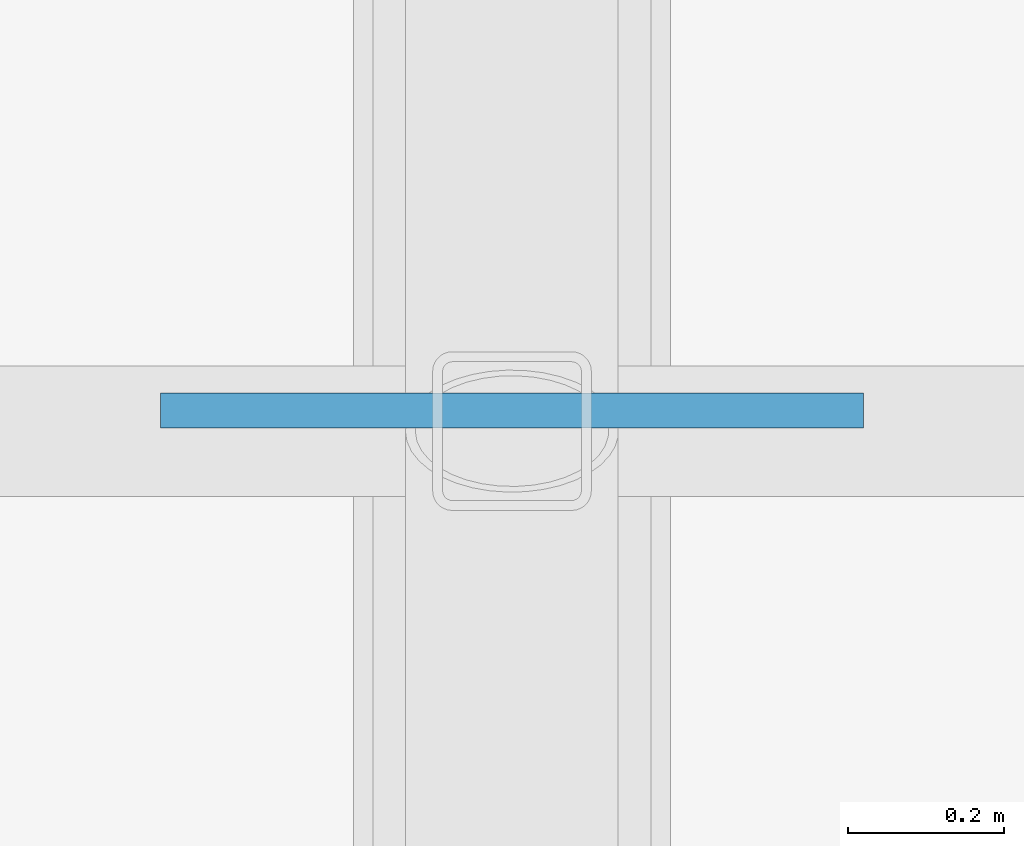
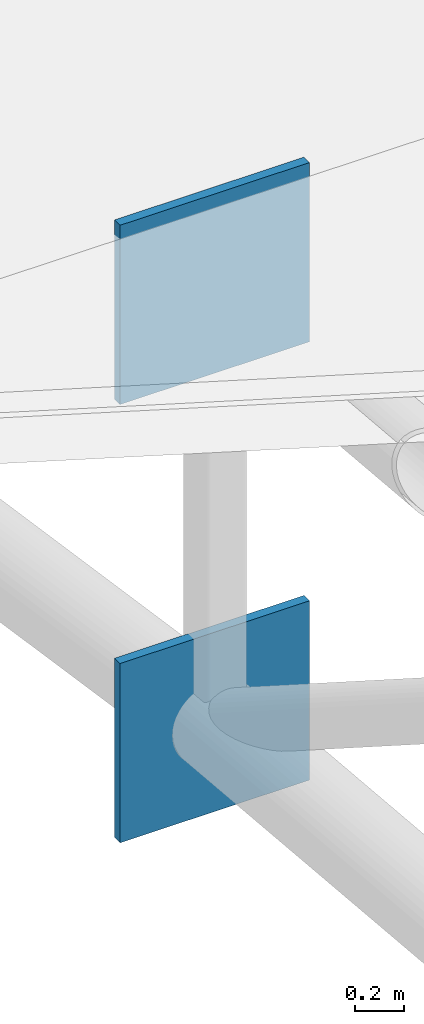
# One storey, part 81 of 98: 2 plates.
"""IFC4 building model written with IfcOpenShell, lengths in metres."""

from ifc_helpers import new_model, si_unit, direction, frame, origin, origin_2d, place, context, subcontext, project, spatial, rectangle, extrude, material, layer, layer_set, type_object, element, save


model = new_model("IFC4")

# Units and contexts
model_context = context("Model", 3, precision=1e-05, world=origin(), true_north=direction((0.0, 1.0)))
body_context = subcontext(model_context, "Body", "Model", "MODEL_VIEW")
ifc_project = project(units=[si_unit("LENGTHUNIT", "METRE"), si_unit("AREAUNIT", "SQUARE_METRE"), si_unit("VOLUMEUNIT", "CUBIC_METRE"), si_unit("PLANEANGLEUNIT", "RADIAN"), si_unit("MASSUNIT", "GRAM", prefix="KILO")], contexts=[model_context])

# Site, building, storey
site_placement = place(None, origin())
site = spatial("IfcSite", under=ifc_project, at=site_placement, CompositionType="ELEMENT")
building_placement = place(site_placement, origin())
building = spatial("IfcBuilding", under=site, at=building_placement, Name="Tlacozan Convention Centre", CompositionType="ELEMENT")
storey_placement = place(building_placement, frame((0.0, 0.0, 25.800048828125)))
storey = spatial("IfcBuildingStorey", under=building, at=storey_placement, Name="Roof", CompositionType="ELEMENT", Elevation=25.800048828125)

# Plates
ifc_material = material(Name="Steel ASTM A572 Grade 50", Category="steel")
ifc_layer = layer(ifc_material, 0.044921875)
ifc_layer_set = layer_set([ifc_layer], Name="Steel ASTM A572 Grade 50")
plate_type = type_object("IfcPlateType", Name="Arch Springing Node Gusset Plate", PredefinedType="SHEET", material=ifc_layer_set)
for number, where, z_axis, x_axis, name in (
    (1, (80.0, 102.0263671875, -3.5244140625), (0.0, 0.0, 1.0), (0.0, 1.0, 0.0), "Roof Gusset Cap Plate 361"),
    (2, (80.0, 102.0263671875, -5.724609375), (0.0, 0.0, 1.0), (0.0, 1.0, 0.0), "Roof Gusset Cap Plate 362"),
):
    element("IfcPlate", number, at=place(storey_placement, frame(where, z_axis=z_axis, x_axis=x_axis)), inside=storey, type_object=plate_type, Name=name, PredefinedType="SHEET", context=body_context, shape_type="SweptSolid", body=[
        extrude(rectangle(XDim=0.044921875, YDim=0.89990234375, at=origin_2d()), origin(), (0.0, 0.0, 1.0), 0.89990234375),
    ])

save(model, "model.ifc")
